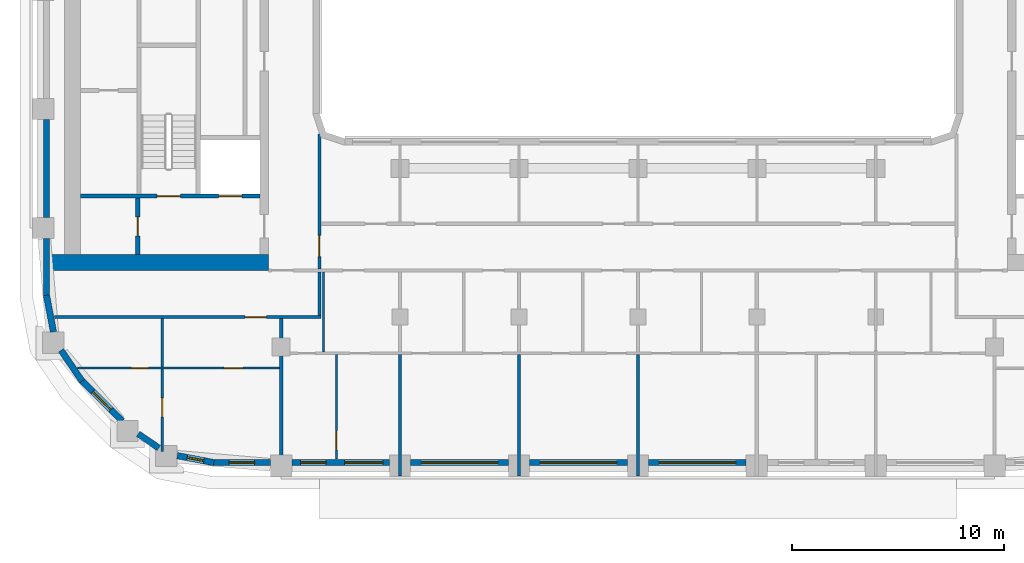
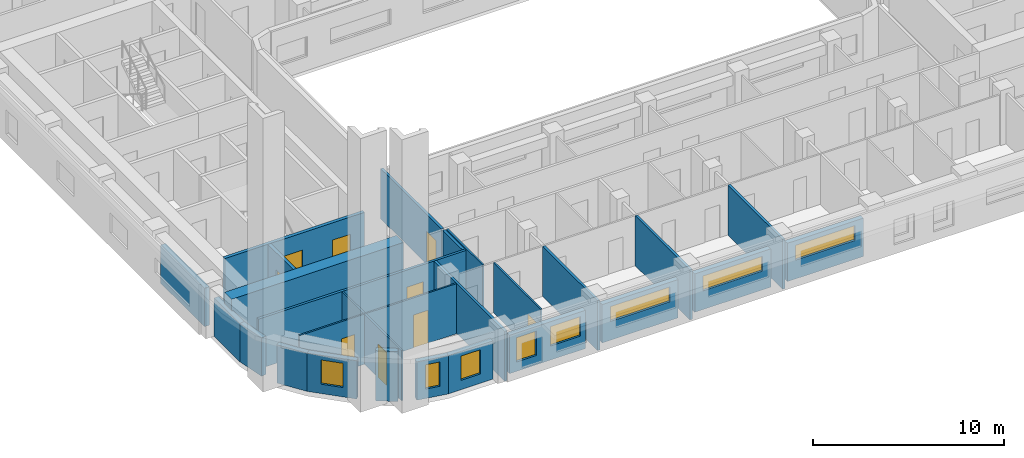
# One storey, part 2 of 22: 27 walls, 9 doors, 8 windows, 17 openings.
"""IFC4 building model written with IfcOpenShell, lengths in metres."""

from ifc_helpers import new_model, si_unit, direction, frame, frame_2d, origin, place, context, subcontext, project, spatial, rectangle, extrude, material, layer, layer_set, type_object, element, fill, save


model = new_model("IFC4")

# Units and contexts
model_context = context("Model", 3, precision=1e-05, world=origin(), true_north=direction((0.0, 1.0)))
body_context = subcontext(model_context, "Body", "Model", "MODEL_VIEW")
ifc_project = project(units=[si_unit("LENGTHUNIT", "METRE"), si_unit("AREAUNIT", "SQUARE_METRE"), si_unit("VOLUMEUNIT", "CUBIC_METRE"), si_unit("PLANEANGLEUNIT", "RADIAN"), si_unit("MASSUNIT", "GRAM", prefix="KILO")], contexts=[model_context])

# Site, building, storey
site_placement = place(None, origin())
site = spatial("IfcSite", under=ifc_project, at=site_placement, CompositionType="ELEMENT")
building_placement = place(site_placement, origin())
building = spatial("IfcBuilding", under=site, at=building_placement, Name="Kiln Ring Residences", CompositionType="ELEMENT")
storey_placement = place(building_placement, frame((0.0, 0.0, 160.60009765625)))
storey = spatial("IfcBuildingStorey", under=building, at=storey_placement, Name="L41", CompositionType="ELEMENT", Elevation=160.60009765625)

# Wall, opening, door
ifc_material_1 = material(Name="Gypsum board on steel studs", Category="steel")
ifc_layer_1 = layer(ifc_material_1, 0.199951171875)
ifc_layer_set_1 = layer_set([ifc_layer_1], Name="CORE-PARTITION-200")
wall_type_1 = type_object("IfcWallType", Name="CORE-PARTITION-200", PredefinedType="PARTITIONING", material=ifc_layer_set_1)
wall_1_placement = place(storey_placement, frame((-23.550048828125, -12.449951171875, 0.0), z_axis=(0.0, 0.0, 1.0), x_axis=(0.0, 1.0, 0.0)))
wall_1 = element("IfcWall", 1, at=wall_1_placement, inside=storey, type_object=wall_type_1, Name="Core partition west L41 5", PredefinedType="PARTITIONING", context=body_context, shape_type="SweptSolid", body=[
    extrude(rectangle(XDim=2.64990234375, YDim=0.199951171875, at=frame_2d((1.324951171875, 0.0))), origin(), (0.0, 0.0, 1.0), 3.199951171875),
])
opening_1_placement = place(wall_1_placement, frame((0.875, 0.0, 0.0)))
opening_1 = element("IfcOpeningElement", 2, at=opening_1_placement, cuts=wall_1, Name="Opening L41-CW10", PredefinedType="OPENING", context=body_context, shape_type="SweptSolid", body=[
    extrude(rectangle(XDim=0.89990234375, YDim=2.10009765625, at=frame_2d((0.449951171875, 1.050048828125))), frame((0.0, 0.10986328125, 0.0), z_axis=(0.0, -1.0, 0.0), x_axis=(1.0, 0.0, 0.0)), (0.0, 0.0, 1.0), 0.219970703125),
])
ifc_material_2 = material(Name="Steel door leaf", Category="steel")
door_type_1 = type_object("IfcDoorType", Name="CORE-DOOR-ROOM", OperationType="SINGLE_SWING_LEFT", PredefinedType="DOOR", material=ifc_material_2)
door_1_placement = place(opening_1_placement, origin())
door_1 = element("IfcDoor", 3, at=door_1_placement, inside=storey, type_object=door_type_1, Name="Store L41-CW10", OperationType="SINGLE_SWING_RIGHT", OverallHeight=2.10009765625, OverallWidth=0.89990234375, PredefinedType="DOOR", context=body_context, shape_type="SweptSolid", body=[
    extrude(rectangle(XDim=0.89990234375, YDim=2.10009765625, at=frame_2d((0.449951171875, 1.050048828125))), frame((0.0, 0.02490234375, 0.0), z_axis=(0.0, -1.0, 0.0), x_axis=(1.0, 0.0, 0.0)), (0.0, 0.0, 1.0), 0.050048828125),
])
fill(opening_1, door_1)

# Wall, openings, doors
ifc_material_3 = material(Name="Concrete C40/50", Category="concrete")
ifc_layer_2 = layer(ifc_material_3, 0.199951171875)
ifc_layer_set_2 = layer_set([ifc_layer_2], Name="CORE-WALL-RC200")
wall_type_2 = type_object("IfcWallType", Name="CORE-WALL-RC200", PredefinedType="SHEAR", material=ifc_layer_set_2)
wall_2_placement = place(storey_placement, frame((-17.800048828125, -9.699951171875, 0.0), z_axis=(0.0, 0.0, 1.0), x_axis=(-1.0, 0.0, 0.0)))
wall_2 = element("IfcWall", 4, at=wall_2_placement, inside=storey, type_object=wall_type_2, Name="Core wall west L41 8", PredefinedType="SHEAR", context=body_context, shape_type="SweptSolid", body=[
    extrude(rectangle(XDim=8.449951171875, YDim=0.199951171875, at=frame_2d((4.22509765625, 0.0))), origin(), (0.0, 0.0, 1.0), 3.199951171875),
])
opening_2_placement = place(wall_2_placement, frame((0.85009765625, 0.0, 0.0)))
opening_2 = element("IfcOpeningElement", 5, at=opening_2_placement, cuts=wall_2, Name="Opening L41-CW01", PredefinedType="OPENING", context=body_context, shape_type="SweptSolid", body=[
    extrude(rectangle(XDim=1.10009765625, YDim=2.10009765625, at=frame_2d((0.550048828125, 1.050048828125))), frame((0.0, 0.10986328125, 0.0), z_axis=(0.0, -1.0, 0.0), x_axis=(1.0, 0.0, 0.0)), (0.0, 0.0, 1.0), 0.219970703125),
])
opening_3_placement = place(wall_2_placement, frame((3.75, 0.0, 0.0)))
opening_3 = element("IfcOpeningElement", 6, at=opening_3_placement, cuts=wall_2, Name="Opening L41-CW12", PredefinedType="OPENING", context=body_context, shape_type="SweptSolid", body=[
    extrude(rectangle(XDim=1.10009765625, YDim=2.10009765625, at=frame_2d((0.550048828125, 1.050048828125))), frame((0.0, 0.10986328125, 0.0), z_axis=(0.0, -1.0, 0.0), x_axis=(1.0, 0.0, 0.0)), (0.0, 0.0, 1.0), 0.219970703125),
])
ifc_material_4 = material(Name="Steel door leaf", Category="steel")
door_type_2 = type_object("IfcDoorType", Name="CORE-DOOR-LD", OperationType="DOUBLE_DOOR_SLIDING", PredefinedType="DOOR", material=ifc_material_4)
door_2_placement = place(opening_2_placement, origin())
door_2 = element("IfcDoor", 7, at=door_2_placement, inside=storey, type_object=door_type_2, Name="LD W-SV L41-CW01", OperationType="DOUBLE_DOOR_SLIDING", OverallHeight=2.10009765625, OverallWidth=1.10009765625, PredefinedType="DOOR", context=body_context, shape_type="SweptSolid", body=[
    extrude(rectangle(XDim=1.10009765625, YDim=2.10009765625, at=frame_2d((0.550048828125, 1.050048828125))), frame((0.0, 0.02490234375, 0.0), z_axis=(0.0, -1.0, 0.0), x_axis=(1.0, 0.0, 0.0)), (0.0, 0.0, 1.0), 0.050048828125),
])
fill(opening_2, door_2)
ifc_material_5 = material(Name="Steel door leaf", Category="steel")
door_type_3 = type_object("IfcDoorType", Name="CORE-DOOR-STAIR", OperationType="SINGLE_SWING_LEFT", PredefinedType="DOOR", material=ifc_material_5)
door_3_placement = place(opening_3_placement, origin())
door_3 = element("IfcDoor", 8, at=door_3_placement, inside=storey, type_object=door_type_3, Name="Stair W-STS L41-CW12", OperationType="SINGLE_SWING_LEFT", OverallHeight=2.10009765625, OverallWidth=1.10009765625, PredefinedType="DOOR", context=body_context, shape_type="SweptSolid", body=[
    extrude(rectangle(XDim=1.10009765625, YDim=2.10009765625, at=frame_2d((0.550048828125, 1.050048828125))), frame((0.0, 0.02490234375, 0.0), z_axis=(0.0, -1.0, 0.0), x_axis=(1.0, 0.0, 0.0)), (0.0, 0.0, 1.0), 0.050048828125),
])
fill(opening_3, door_3)

# Wall
ifc_material_6 = material(Name="Concrete C60/75", Category="concrete")
ifc_layer_3 = layer(ifc_material_6, 0.75)
ifc_layer_set_3 = layer_set([ifc_layer_3], Name="CORE-WALL-RC750")
wall_type_3 = type_object("IfcWallType", Name="CORE-WALL-RC750", PredefinedType="SHEAR", material=ifc_layer_set_3)
wall_3_placement = place(storey_placement, frame((-17.39990234375, -12.824951171875, 0.0), z_axis=(0.0, 0.0, 1.0), x_axis=(-1.0, 0.0, 0.0)))
element("IfcWall", 9, at=wall_3_placement, inside=storey, type_object=wall_type_3, Name="Core wall west L41 5", PredefinedType="SHEAR", context=body_context, shape_type="SweptSolid", body=[
    extrude(rectangle(XDim=10.400146484375, YDim=0.75, at=frame_2d((5.2001953125, 0.0))), origin(), (0.0, 0.0, 1.0), 3.199951171875),
])

# Wall, opening, window
ifc_material_7 = material(Name="Brick masonry, dark clay brick", Category="masonry")
ifc_layer_4 = layer(ifc_material_7, 0.300048828125)
ifc_layer_set_4 = layer_set([ifc_layer_4], Name="EW-300 BRICK WALL")
wall_type_4 = type_object("IfcWallType", Name="EW-300 BRICK WALL", PredefinedType="SOLIDWALL", material=ifc_layer_set_4)
wall_4_placement = place(storey_placement, frame((-26.19677734375, -18.390869140625, 0.0), z_axis=(0.0, 0.0, 1.0), x_axis=(0.707061571201, -0.707151988282, 0.0)))
wall_4 = element("IfcWall", 10, at=wall_4_placement, inside=storey, type_object=wall_type_4, Name="Facade wall L41 1", PredefinedType="SOLIDWALL", context=body_context, shape_type="SweptSolid", body=[
    extrude(rectangle(XDim=2.7001953125, YDim=0.300048828125, at=frame_2d((1.35009765625, 0.0))), origin(), (0.0, 0.0, 1.0), 2.449951171875),
])
opening_4_placement = place(wall_4_placement, frame((0.75, 0.0, 0.60009765625)))
opening_4 = element("IfcOpeningElement", 11, at=opening_4_placement, cuts=wall_4, Name="Opening W1", PredefinedType="OPENING", context=body_context, shape_type="SweptSolid", body=[
    extrude(rectangle(XDim=1.199951171875, YDim=1.550048828125, at=frame_2d((0.60009765625, 0.77490234375))), frame((0.0, 0.159912109375, 0.0), z_axis=(0.0, -1.0, 0.0), x_axis=(1.0, 0.0, 0.0)), (0.0, 0.0, 1.0), 0.320068359375),
])
ifc_material_8 = material(Name="Aluminium frame with double glazing", Category="aluminium")
window_type_1 = type_object("IfcWindowType", Name="WINDOW 1200 x 1550", PartitioningType="SINGLE_PANEL", PredefinedType="WINDOW", material=ifc_material_8)
window_1_placement = place(opening_4_placement, origin())
window_1 = element("IfcWindow", 12, at=window_1_placement, inside=storey, type_object=window_type_1, Name="Window L41 1", OverallHeight=1.550048828125, OverallWidth=1.199951171875, PartitioningType="SINGLE_PANEL", PredefinedType="WINDOW", context=body_context, shape_type="SweptSolid", body=[
    extrude(rectangle(XDim=1.199951171875, YDim=1.550048828125, at=frame_2d((0.60009765625, 0.77490234375))), frame((0.0, 0.030029296875, 0.0), z_axis=(0.0, -1.0, 0.0), x_axis=(1.0, 0.0, 0.0)), (0.0, 0.0, 1.0), 0.06005859375),
])
fill(opening_4, window_1)

# Wall
wall_5_placement = place(storey_placement, frame((-23.533935546875, -20.904296875, 0.0), z_axis=(0.0, 0.0, 1.0), x_axis=(0.827103906596, -0.56204904385, 0.0)))
element("IfcWall", 13, at=wall_5_placement, inside=storey, type_object=wall_type_4, Name="Facade wall L41 2", PredefinedType="SOLIDWALL", context=body_context, shape_type="SweptSolid", body=[
    extrude(rectangle(XDim=1.17724609375, YDim=0.300048828125, at=frame_2d((0.588623046875, 0.0))), origin(), (0.0, 0.0, 1.0), 3.199951171875),
])

# Wall, opening, window
wall_6_placement = place(storey_placement, frame((-21.697021484375, -21.923583984375, 0.0), z_axis=(0.0, 0.0, 1.0), x_axis=(0.982284988433, -0.187393173565, 0.0)))
wall_6 = element("IfcWall", 14, at=wall_6_placement, inside=storey, type_object=wall_type_4, Name="Facade wall L41 3", PredefinedType="SOLIDWALL", context=body_context, shape_type="SweptSolid", body=[
    extrude(rectangle(XDim=1.756103515625, YDim=0.300048828125, at=frame_2d((0.8779296875, 0.0))), origin(), (0.0, 0.0, 1.0), 2.449951171875),
])
opening_5_placement = place(wall_6_placement, frame((0.47802734375, 0.0, 0.60009765625)))
opening_5 = element("IfcOpeningElement", 15, at=opening_5_placement, cuts=wall_6, Name="Opening W5", PredefinedType="OPENING", context=body_context, shape_type="SweptSolid", body=[
    extrude(rectangle(XDim=0.800048828125, YDim=1.550048828125, at=frame_2d((0.39990234375, 0.77490234375))), frame((0.0, 0.159912109375, 0.0), z_axis=(0.0, -1.0, 0.0), x_axis=(1.0, 0.0, 0.0)), (0.0, 0.0, 1.0), 0.320068359375),
])
ifc_material_9 = material(Name="Aluminium frame with double glazing", Category="aluminium")
window_type_2 = type_object("IfcWindowType", Name="WINDOW 800 x 1550", PartitioningType="SINGLE_PANEL", PredefinedType="WINDOW", material=ifc_material_9)
window_2_placement = place(opening_5_placement, origin())
window_2 = element("IfcWindow", 16, at=window_2_placement, inside=storey, type_object=window_type_2, Name="Window L41 2", OverallHeight=1.550048828125, OverallWidth=0.800048828125, PartitioningType="SINGLE_PANEL", PredefinedType="WINDOW", context=body_context, shape_type="SweptSolid", body=[
    extrude(rectangle(XDim=0.800048828125, YDim=1.550048828125, at=frame_2d((0.39990234375, 0.77490234375))), frame((0.0, 0.030029296875, 0.0), z_axis=(0.0, -1.0, 0.0), x_axis=(1.0, 0.0, 0.0)), (0.0, 0.0, 1.0), 0.06005859375),
])
fill(opening_5, window_2)

wall_7_placement = place(storey_placement, frame((-20.0, -22.25, 0.0), z_axis=(0.0, 0.0, 1.0), x_axis=(1.0, 0.0, 0.0)))
wall_7 = element("IfcWall", 17, at=wall_7_placement, inside=storey, type_object=wall_type_4, Name="Facade wall L41 4", PredefinedType="SOLIDWALL", context=body_context, shape_type="SweptSolid", body=[
    extrude(rectangle(XDim=2.699951171875, YDim=0.300048828125, at=frame_2d((1.35009765625, 0.0))), origin(), (0.0, 0.0, 1.0), 2.449951171875),
])
opening_6_placement = place(wall_7_placement, frame((0.75, 0.0, 0.60009765625)))
opening_6 = element("IfcOpeningElement", 18, at=opening_6_placement, cuts=wall_7, Name="Opening W1", PredefinedType="OPENING", context=body_context, shape_type="SweptSolid", body=[
    extrude(rectangle(XDim=1.199951171875, YDim=1.550048828125, at=frame_2d((0.60009765625, 0.77490234375))), frame((0.0, 0.159912109375, 0.0), z_axis=(0.0, -1.0, 0.0), x_axis=(1.0, 0.0, 0.0)), (0.0, 0.0, 1.0), 0.320068359375),
])
window_3_placement = place(opening_6_placement, origin())
window_3 = element("IfcWindow", 19, at=window_3_placement, inside=storey, type_object=window_type_1, Name="Window L41 3", OverallHeight=1.550048828125, OverallWidth=1.199951171875, PartitioningType="SINGLE_PANEL", PredefinedType="WINDOW", context=body_context, shape_type="SweptSolid", body=[
    extrude(rectangle(XDim=1.199951171875, YDim=1.550048828125, at=frame_2d((0.60009765625, 0.77490234375))), frame((0.0, 0.030029296875, 0.0), z_axis=(0.0, -1.0, 0.0), x_axis=(1.0, 0.0, 0.0)), (0.0, 0.0, 1.0), 0.06005859375),
])
fill(opening_6, window_3)

# Wall, openings, windows
wall_8_placement = place(storey_placement, frame((-16.300048828125, -22.25, 0.0), z_axis=(0.0, 0.0, 1.0), x_axis=(1.0, 0.0, 0.0)))
wall_8 = element("IfcWall", 20, at=wall_8_placement, inside=storey, type_object=wall_type_4, Name="Facade wall L41 5", PredefinedType="SOLIDWALL", context=body_context, shape_type="SweptSolid", body=[
    extrude(rectangle(XDim=4.60009765625, YDim=0.300048828125, at=frame_2d((2.300048828125, 0.0))), origin(), (0.0, 0.0, 1.0), 2.449951171875),
])
opening_7_placement = place(wall_8_placement, frame((0.41259765625, 0.0, 0.60009765625)))
opening_7 = element("IfcOpeningElement", 21, at=opening_7_placement, cuts=wall_8, Name="Opening W1", PredefinedType="OPENING", context=body_context, shape_type="SweptSolid", body=[
    extrude(rectangle(XDim=1.199951171875, YDim=1.550048828125, at=frame_2d((0.60009765625, 0.77490234375))), frame((0.0, 0.159912109375, 0.0), z_axis=(0.0, -1.0, 0.0), x_axis=(1.0, 0.0, 0.0)), (0.0, 0.0, 1.0), 0.320068359375),
])
opening_8_placement = place(wall_8_placement, frame((2.487548828125, 0.0, 0.89990234375)))
opening_8 = element("IfcOpeningElement", 22, at=opening_8_placement, cuts=wall_8, Name="Opening W2", PredefinedType="OPENING", context=body_context, shape_type="SweptSolid", body=[
    extrude(rectangle(XDim=1.800048828125, YDim=1.25, at=frame_2d((0.89990234375, 0.625))), frame((0.0, 0.159912109375, 0.0), z_axis=(0.0, -1.0, 0.0), x_axis=(1.0, 0.0, 0.0)), (0.0, 0.0, 1.0), 0.320068359375),
])
window_4_placement = place(opening_7_placement, origin())
window_4 = element("IfcWindow", 23, at=window_4_placement, inside=storey, type_object=window_type_1, Name="Window L41 4", OverallHeight=1.550048828125, OverallWidth=1.199951171875, PartitioningType="SINGLE_PANEL", PredefinedType="WINDOW", context=body_context, shape_type="SweptSolid", body=[
    extrude(rectangle(XDim=1.199951171875, YDim=1.550048828125, at=frame_2d((0.60009765625, 0.77490234375))), frame((0.0, 0.030029296875, 0.0), z_axis=(0.0, -1.0, 0.0), x_axis=(1.0, 0.0, 0.0)), (0.0, 0.0, 1.0), 0.06005859375),
])
fill(opening_7, window_4)
ifc_material_10 = material(Name="Aluminium frame with double glazing", Category="aluminium")
window_type_3 = type_object("IfcWindowType", Name="WINDOW 1800 x 1250", PartitioningType="SINGLE_PANEL", PredefinedType="WINDOW", material=ifc_material_10)
window_5_placement = place(opening_8_placement, origin())
window_5 = element("IfcWindow", 24, at=window_5_placement, inside=storey, type_object=window_type_3, Name="Window L41 5", OverallHeight=1.25, OverallWidth=1.800048828125, PartitioningType="SINGLE_PANEL", PredefinedType="WINDOW", context=body_context, shape_type="SweptSolid", body=[
    extrude(rectangle(XDim=1.800048828125, YDim=1.25, at=frame_2d((0.89990234375, 0.625))), frame((0.0, 0.030029296875, 0.0), z_axis=(0.0, -1.0, 0.0), x_axis=(1.0, 0.0, 0.0)), (0.0, 0.0, 1.0), 0.06005859375),
])
fill(opening_8, window_5)

# Wall, opening, window
wall_9_placement = place(storey_placement, frame((-10.699951171875, -22.25, 0.0), z_axis=(0.0, 0.0, 1.0), x_axis=(1.0, 0.0, 0.0)))
wall_9 = element("IfcWall", 25, at=wall_9_placement, inside=storey, type_object=wall_type_4, Name="Facade wall L41 6", PredefinedType="SOLIDWALL", context=body_context, shape_type="SweptSolid", body=[
    extrude(rectangle(XDim=4.599853515625, YDim=0.300048828125, at=frame_2d((2.2998046875, 0.0))), origin(), (0.0, 0.0, 1.0), 2.449951171875),
])
opening_9_placement = place(wall_9_placement, frame((0.5, 0.0, 1.199951171875)))
opening_9 = element("IfcOpeningElement", 26, at=opening_9_placement, cuts=wall_9, Name="Opening W4", PredefinedType="OPENING", context=body_context, shape_type="SweptSolid", body=[
    extrude(rectangle(XDim=3.60009765625, YDim=0.949951171875, at=frame_2d((1.800048828125, 0.47509765625))), frame((0.0, 0.159912109375, 0.0), z_axis=(0.0, -1.0, 0.0), x_axis=(1.0, 0.0, 0.0)), (0.0, 0.0, 1.0), 0.320068359375),
])
ifc_material_11 = material(Name="Aluminium frame with double glazing", Category="aluminium")
window_type_4 = type_object("IfcWindowType", Name="WINDOW 3600 x 950", PartitioningType="SINGLE_PANEL", PredefinedType="WINDOW", material=ifc_material_11)
window_6_placement = place(opening_9_placement, origin())
window_6 = element("IfcWindow", 27, at=window_6_placement, inside=storey, type_object=window_type_4, Name="Window L41 6", OverallHeight=0.949951171875, OverallWidth=3.60009765625, PartitioningType="SINGLE_PANEL", PredefinedType="WINDOW", context=body_context, shape_type="SweptSolid", body=[
    extrude(rectangle(XDim=3.60009765625, YDim=0.949951171875, at=frame_2d((1.800048828125, 0.47509765625))), frame((0.0, 0.030029296875, 0.0), z_axis=(0.0, -1.0, 0.0), x_axis=(1.0, 0.0, 0.0)), (0.0, 0.0, 1.0), 0.06005859375),
])
fill(opening_9, window_6)

wall_10_placement = place(storey_placement, frame((-5.10009765625, -22.25, 0.0), z_axis=(0.0, 0.0, 1.0), x_axis=(1.0, 0.0, 0.0)))
wall_10 = element("IfcWall", 28, at=wall_10_placement, inside=storey, type_object=wall_type_4, Name="Facade wall L41 7", PredefinedType="SOLIDWALL", context=body_context, shape_type="SweptSolid", body=[
    extrude(rectangle(XDim=4.60009765625, YDim=0.300048828125, at=frame_2d((2.300048828125, 0.0))), origin(), (0.0, 0.0, 1.0), 2.449951171875),
])
opening_10_placement = place(wall_10_placement, frame((0.5, 0.0, 1.199951171875)))
opening_10 = element("IfcOpeningElement", 29, at=opening_10_placement, cuts=wall_10, Name="Opening W4", PredefinedType="OPENING", context=body_context, shape_type="SweptSolid", body=[
    extrude(rectangle(XDim=3.60009765625, YDim=0.949951171875, at=frame_2d((1.800048828125, 0.47509765625))), frame((0.0, 0.159912109375, 0.0), z_axis=(0.0, -1.0, 0.0), x_axis=(1.0, 0.0, 0.0)), (0.0, 0.0, 1.0), 0.320068359375),
])
window_7_placement = place(opening_10_placement, origin())
window_7 = element("IfcWindow", 30, at=window_7_placement, inside=storey, type_object=window_type_4, Name="Window L41 7", OverallHeight=0.949951171875, OverallWidth=3.60009765625, PartitioningType="SINGLE_PANEL", PredefinedType="WINDOW", context=body_context, shape_type="SweptSolid", body=[
    extrude(rectangle(XDim=3.60009765625, YDim=0.949951171875, at=frame_2d((1.800048828125, 0.47509765625))), frame((0.0, 0.030029296875, 0.0), z_axis=(0.0, -1.0, 0.0), x_axis=(1.0, 0.0, 0.0)), (0.0, 0.0, 1.0), 0.06005859375),
])
fill(opening_10, window_7)

wall_11_placement = place(storey_placement, frame((0.5, -22.25, 0.0), z_axis=(0.0, 0.0, 1.0), x_axis=(1.0, 0.0, 0.0)))
wall_11 = element("IfcWall", 31, at=wall_11_placement, inside=storey, type_object=wall_type_4, Name="Facade wall L41 8", PredefinedType="SOLIDWALL", context=body_context, shape_type="SweptSolid", body=[
    extrude(rectangle(XDim=4.60009765625, YDim=0.300048828125, at=frame_2d((2.300048828125, 0.0))), origin(), (0.0, 0.0, 1.0), 2.449951171875),
])
opening_11_placement = place(wall_11_placement, frame((0.5, 0.0, 1.199951171875)))
opening_11 = element("IfcOpeningElement", 32, at=opening_11_placement, cuts=wall_11, Name="Opening W4", PredefinedType="OPENING", context=body_context, shape_type="SweptSolid", body=[
    extrude(rectangle(XDim=3.60009765625, YDim=0.949951171875, at=frame_2d((1.800048828125, 0.47509765625))), frame((0.0, 0.159912109375, 0.0), z_axis=(0.0, -1.0, 0.0), x_axis=(1.0, 0.0, 0.0)), (0.0, 0.0, 1.0), 0.320068359375),
])
window_8_placement = place(opening_11_placement, origin())
window_8 = element("IfcWindow", 33, at=window_8_placement, inside=storey, type_object=window_type_4, Name="Window L41 8", OverallHeight=0.949951171875, OverallWidth=3.60009765625, PartitioningType="SINGLE_PANEL", PredefinedType="WINDOW", context=body_context, shape_type="SweptSolid", body=[
    extrude(rectangle(XDim=3.60009765625, YDim=0.949951171875, at=frame_2d((1.800048828125, 0.47509765625))), frame((0.0, 0.030029296875, 0.0), z_axis=(0.0, -1.0, 0.0), x_axis=(1.0, 0.0, 0.0)), (0.0, 0.0, 1.0), 0.06005859375),
])
fill(opening_11, window_8)

# Walls
wall_12_placement = place(storey_placement, frame((-27.85009765625, -6.10009765625, 0.0), z_axis=(0.0, 0.0, 1.0), x_axis=(0.0, -1.0, 0.0)))
element("IfcWall", 34, at=wall_12_placement, inside=storey, type_object=wall_type_4, Name="Facade wall L41 45", PredefinedType="SOLIDWALL", context=body_context, shape_type="SweptSolid", body=[
    extrude(rectangle(XDim=4.599853515625, YDim=0.300048828125, at=frame_2d((2.2998046875, 0.0))), origin(), (0.0, 0.0, 1.0), 2.449951171875),
])
wall_13_placement = place(storey_placement, frame((-27.85009765625, -11.699951171875, 0.0), z_axis=(0.0, 0.0, 1.0), x_axis=(0.0, -1.0, 0.0)))
element("IfcWall", 35, at=wall_13_placement, inside=storey, type_object=wall_type_4, Name="Facade wall L41 46", PredefinedType="SOLIDWALL", context=body_context, shape_type="SweptSolid", body=[
    extrude(rectangle(XDim=2.699951171875, YDim=0.300048828125, at=frame_2d((1.35009765625, 0.0))), origin(), (0.0, 0.0, 1.0), 2.449951171875),
])
for number, where, z_axis, x_axis, name in (
    (36, (-27.8525390625, -14.371826171875, 0.0), (0.0, 0.0, 1.0), (0.187259034321, -0.982310569049, 0.0), "Facade wall L41 47"),
    (37, (-27.166015625, -16.96044921875, 0.0), (0.0, 0.0, 1.0), (0.562089443061, -0.82707645233, 0.0), "Facade wall L41 48"),
):
    element("IfcWall", number, at=place(storey_placement, frame(where, z_axis=z_axis, x_axis=x_axis)), inside=storey, type_object=wall_type_4, Name=name, PredefinedType="SOLIDWALL", context=body_context, shape_type="SweptSolid", body=[
        extrude(rectangle(XDim=1.756103515625, YDim=0.300048828125, at=frame_2d((0.8779296875, 0.0))), origin(), (0.0, 0.0, 1.0), 2.449951171875),
    ])

# Wall, openings, doors
ifc_material_12 = material(Name="Gypsum board on steel studs", Category="steel")
ifc_layer_5 = layer(ifc_material_12, 0.10009765625)
ifc_layer_set_5 = layer_set([ifc_layer_5], Name="PARTITION-100")
wall_type_5 = type_object("IfcWallType", Name="PARTITION-100", PredefinedType="PARTITIONING", material=ifc_layer_set_5)
wall_14_placement = place(storey_placement, frame((-26.39404296875, -17.800048828125, 0.0), z_axis=(0.0, 0.0, 1.0), x_axis=(1.0, 0.0, 0.0)))
wall_14 = element("IfcWall", 38, at=wall_14_placement, inside=storey, type_object=wall_type_5, Name="Partition 000", PredefinedType="PARTITIONING", context=body_context, shape_type="SweptSolid", body=[
    extrude(rectangle(XDim=9.51904296875, YDim=0.10009765625, at=frame_2d((4.759521484375, 0.0))), origin(), (0.0, 0.0, 1.0), 3.199951171875),
])
opening_12_placement = place(wall_14_placement, frame((2.5439453125, 0.0, 0.0)))
opening_12 = element("IfcOpeningElement", 39, at=opening_12_placement, cuts=wall_14, Name="Opening L41-D071", PredefinedType="OPENING", context=body_context, shape_type="SweptSolid", body=[
    extrude(rectangle(XDim=0.800048828125, YDim=2.10009765625, at=frame_2d((0.39990234375, 1.050048828125))), frame((0.0, 0.06005859375, 0.0), z_axis=(0.0, -1.0, 0.0), x_axis=(1.0, 0.0, 0.0)), (0.0, 0.0, 1.0), 0.1201171875),
])
opening_13_placement = place(wall_14_placement, frame((6.89404296875, 0.0, 0.0)))
opening_13 = element("IfcOpeningElement", 40, at=opening_13_placement, cuts=wall_14, Name="Opening L41-D072", PredefinedType="OPENING", context=body_context, shape_type="SweptSolid", body=[
    extrude(rectangle(XDim=0.89990234375, YDim=2.10009765625, at=frame_2d((0.449951171875, 1.050048828125))), frame((0.0, 0.06005859375, 0.0), z_axis=(0.0, -1.0, 0.0), x_axis=(1.0, 0.0, 0.0)), (0.0, 0.0, 1.0), 0.1201171875),
])
ifc_material_13 = material(Name="Timber door leaf", Category="wood")
door_type_4 = type_object("IfcDoorType", Name="FLAT-DOOR-800-PL", OperationType="SINGLE_SWING_LEFT", PredefinedType="DOOR", material=ifc_material_13)
door_4_placement = place(opening_12_placement, origin())
door_4 = element("IfcDoor", 41, at=door_4_placement, inside=storey, type_object=door_type_4, Name="Door L41-D071", OperationType="SINGLE_SWING_LEFT", OverallHeight=2.10009765625, OverallWidth=0.800048828125, PredefinedType="DOOR", context=body_context, shape_type="SweptSolid", body=[
    extrude(rectangle(XDim=0.800048828125, YDim=2.10009765625, at=frame_2d((0.39990234375, 1.050048828125))), frame((0.0, 0.02490234375, 0.0), z_axis=(0.0, -1.0, 0.0), x_axis=(1.0, 0.0, 0.0)), (0.0, 0.0, 1.0), 0.050048828125),
])
fill(opening_12, door_4)
ifc_material_14 = material(Name="Timber door leaf", Category="wood")
door_type_5 = type_object("IfcDoorType", Name="FLAT-DOOR-900-PL", OperationType="SINGLE_SWING_LEFT", PredefinedType="DOOR", material=ifc_material_14)
door_5_placement = place(opening_13_placement, origin())
door_5 = element("IfcDoor", 42, at=door_5_placement, inside=storey, type_object=door_type_5, Name="Door L41-D072", OperationType="SINGLE_SWING_RIGHT", OverallHeight=2.10009765625, OverallWidth=0.89990234375, PredefinedType="DOOR", context=body_context, shape_type="SweptSolid", body=[
    extrude(rectangle(XDim=0.89990234375, YDim=2.10009765625, at=frame_2d((0.449951171875, 1.050048828125))), frame((0.0, 0.02490234375, 0.0), z_axis=(0.0, -1.0, 0.0), x_axis=(1.0, 0.0, 0.0)), (0.0, 0.0, 1.0), 0.050048828125),
])
fill(opening_13, door_5)

# Wall, opening, door
wall_15_placement = place(storey_placement, frame((-22.39990234375, -21.719970703125, 0.0), z_axis=(0.0, 0.0, 1.0), x_axis=(0.0, 1.0, 0.0)))
wall_15 = element("IfcWall", 43, at=wall_15_placement, inside=storey, type_object=wall_type_5, Name="Partition 014", PredefinedType="PARTITIONING", context=body_context, shape_type="SweptSolid", body=[
    extrude(rectangle(XDim=3.869873046875, YDim=0.10009765625, at=frame_2d((1.93505859375, 0.0))), origin(), (0.0, 0.0, 1.0), 3.199951171875),
])
opening_14_placement = place(wall_15_placement, frame((1.6201171875, 0.0, 0.0)))
opening_14 = element("IfcOpeningElement", 44, at=opening_14_placement, cuts=wall_15, Name="Opening L41-D073", PredefinedType="OPENING", context=body_context, shape_type="SweptSolid", body=[
    extrude(rectangle(XDim=0.89990234375, YDim=2.10009765625, at=frame_2d((0.449951171875, 1.050048828125))), frame((0.0, 0.06005859375, 0.0), z_axis=(0.0, -1.0, 0.0), x_axis=(1.0, 0.0, 0.0)), (0.0, 0.0, 1.0), 0.1201171875),
])
door_6_placement = place(opening_14_placement, origin())
door_6 = element("IfcDoor", 45, at=door_6_placement, inside=storey, type_object=door_type_5, Name="Door L41-D073", OperationType="SINGLE_SWING_LEFT", OverallHeight=2.10009765625, OverallWidth=0.89990234375, PredefinedType="DOOR", context=body_context, shape_type="SweptSolid", body=[
    extrude(rectangle(XDim=0.89990234375, YDim=2.10009765625, at=frame_2d((0.449951171875, 1.050048828125))), frame((0.0, 0.02490234375, 0.0), z_axis=(0.0, -1.0, 0.0), x_axis=(1.0, 0.0, 0.0)), (0.0, 0.0, 1.0), 0.050048828125),
])
fill(opening_14, door_6)

# Walls
wall_16_placement = place(storey_placement, frame((-22.39990234375, -17.75, 0.0), z_axis=(0.0, 0.0, 1.0), x_axis=(0.0, 1.0, 0.0)))
element("IfcWall", 46, at=wall_16_placement, inside=storey, type_object=wall_type_5, Name="Partition 015", PredefinedType="PARTITIONING", context=body_context, shape_type="SweptSolid", body=[
    extrude(rectangle(XDim=2.27490234375, YDim=0.10009765625, at=frame_2d((1.137451171875, 0.0))), origin(), (0.0, 0.0, 1.0), 3.199951171875),
])
wall_17_placement = place(storey_placement, frame((-14.800048828125, -17.050048828125, 0.0), z_axis=(0.0, 0.0, 1.0), x_axis=(0.0, 1.0, 0.0)))
element("IfcWall", 47, at=wall_17_placement, inside=storey, type_object=wall_type_5, Name="Partition 024", PredefinedType="PARTITIONING", context=body_context, shape_type="SweptSolid", body=[
    extrude(rectangle(XDim=3.775146484375, YDim=0.10009765625, at=frame_2d((1.8876953125, 0.0))), origin(), (0.0, 0.0, 1.0), 3.199951171875),
])

# Wall, opening, door
wall_18_placement = place(storey_placement, frame((-14.199951171875, -22.080078125, 0.0), z_axis=(0.0, 0.0, 1.0), x_axis=(0.0, 1.0, 0.0)))
wall_18 = element("IfcWall", 48, at=wall_18_placement, inside=storey, type_object=wall_type_5, Name="Partition 025", PredefinedType="PARTITIONING", context=body_context, shape_type="SweptSolid", body=[
    extrude(rectangle(XDim=4.93017578125, YDim=0.10009765625, at=frame_2d((2.465087890625, 0.0))), origin(), (0.0, 0.0, 1.0), 3.199951171875),
])
opening_15_placement = place(wall_18_placement, frame((0.429931640625, 0.0, 0.0)))
opening_15 = element("IfcOpeningElement", 49, at=opening_15_placement, cuts=wall_18, Name="Opening L41-D050", PredefinedType="OPENING", context=body_context, shape_type="SweptSolid", body=[
    extrude(rectangle(XDim=0.89990234375, YDim=2.10009765625, at=frame_2d((0.449951171875, 1.050048828125))), frame((0.0, 0.06005859375, 0.0), z_axis=(0.0, -1.0, 0.0), x_axis=(1.0, 0.0, 0.0)), (0.0, 0.0, 1.0), 0.1201171875),
])
door_7_placement = place(opening_15_placement, origin())
door_7 = element("IfcDoor", 50, at=door_7_placement, inside=storey, type_object=door_type_5, Name="Door L41-D050", OperationType="SINGLE_SWING_RIGHT", OverallHeight=2.10009765625, OverallWidth=0.89990234375, PredefinedType="DOOR", context=body_context, shape_type="SweptSolid", body=[
    extrude(rectangle(XDim=0.89990234375, YDim=2.10009765625, at=frame_2d((0.449951171875, 1.050048828125))), frame((0.0, 0.02490234375, 0.0), z_axis=(0.0, -1.0, 0.0), x_axis=(1.0, 0.0, 0.0)), (0.0, 0.0, 1.0), 0.050048828125),
])
fill(opening_15, door_7)

ifc_material_15 = material(Name="Brick masonry partition", Category="masonry")
ifc_layer_6 = layer(ifc_material_15, 0.14990234375)
ifc_layer_set_6 = layer_set([ifc_layer_6], Name="PARTITION-150-ei60")
wall_type_6 = type_object("IfcWallType", Name="PARTITION-150-ei60", PredefinedType="PARTITIONING", material=ifc_layer_set_6)
wall_19_placement = place(storey_placement, frame((-27.48388671875, -15.39990234375, 0.0), z_axis=(0.0, 0.0, 1.0), x_axis=(1.0, 0.0, 0.0)))
wall_19 = element("IfcWall", 51, at=wall_19_placement, inside=storey, type_object=wall_type_6, Name="Partition 003", PredefinedType="PARTITIONING", context=body_context, shape_type="SweptSolid", body=[
    extrude(rectangle(XDim=12.558837890625, YDim=0.14990234375, at=frame_2d((6.279296875, 0.0))), origin(), (0.0, 0.0, 1.0), 3.199951171875),
])
opening_16_placement = place(wall_19_placement, frame((8.98388671875, 0.0, 0.0)))
opening_16 = element("IfcOpeningElement", 52, at=opening_16_placement, cuts=wall_19, Name="Opening L41-D070", PredefinedType="OPENING", context=body_context, shape_type="SweptSolid", body=[
    extrude(rectangle(XDim=1.0, YDim=2.10009765625, at=frame_2d((0.5, 1.050048828125))), frame((0.0, 0.0849609375, 0.0), z_axis=(0.0, -1.0, 0.0), x_axis=(1.0, 0.0, 0.0)), (0.0, 0.0, 1.0), 0.169921875),
])
ifc_material_16 = material(Name="Steel faced fire door leaf", Category="steel")
door_type_6 = type_object("IfcDoorType", Name="FLAT-DOOR-1000-FR", OperationType="SINGLE_SWING_LEFT", PredefinedType="DOOR", material=ifc_material_16)
door_8_placement = place(opening_16_placement, origin())
door_8 = element("IfcDoor", 53, at=door_8_placement, inside=storey, type_object=door_type_6, Name="Door L41-D070", OperationType="SINGLE_SWING_RIGHT", OverallHeight=2.10009765625, OverallWidth=1.0, PredefinedType="DOOR", context=body_context, shape_type="SweptSolid", body=[
    extrude(rectangle(XDim=1.0, YDim=2.10009765625, at=frame_2d((0.5, 1.050048828125))), frame((0.0, 0.02490234375, 0.0), z_axis=(0.0, -1.0, 0.0), x_axis=(1.0, 0.0, 0.0)), (0.0, 0.0, 1.0), 0.050048828125),
])
fill(opening_16, door_8)

# Walls
wall_20_placement = place(storey_placement, frame((-16.800048828125, -22.8798828125, 0.0), z_axis=(0.0, 0.0, 1.0), x_axis=(0.0, 1.0, 0.0)))
element("IfcWall", 54, at=wall_20_placement, inside=storey, type_object=wall_type_6, Name="Partition 018", PredefinedType="PARTITIONING", context=body_context, shape_type="SweptSolid", body=[
    extrude(rectangle(XDim=7.40478515625, YDim=0.14990234375, at=frame_2d((3.702392578125, 0.0))), origin(), (0.0, 0.0, 1.0), 3.199951171875),
])
wall_21_placement = place(storey_placement, frame((-15.0, -15.324951171875, 0.0), z_axis=(0.0, 0.0, 1.0), x_axis=(0.0, 1.0, 0.0)))
element("IfcWall", 55, at=wall_21_placement, inside=storey, type_object=wall_type_6, Name="Partition 020", PredefinedType="PARTITIONING", context=body_context, shape_type="SweptSolid", body=[
    extrude(rectangle(XDim=2.050048828125, YDim=0.14990234375, at=frame_2d((1.02490234375, 0.0))), origin(), (0.0, 0.0, 1.0), 3.199951171875),
])

# Wall, opening, door
wall_22_placement = place(storey_placement, frame((-15.0, -13.125, 0.0), z_axis=(0.0, 0.0, 1.0), x_axis=(0.0, 1.0, 0.0)))
wall_22 = element("IfcWall", 56, at=wall_22_placement, inside=storey, type_object=wall_type_6, Name="Partition 021", PredefinedType="PARTITIONING", context=body_context, shape_type="SweptSolid", body=[
    extrude(rectangle(XDim=6.356201171875, YDim=0.14990234375, at=frame_2d((3.17822265625, 0.0))), origin(), (0.0, 0.0, 1.0), 3.199951171875),
])
opening_17_placement = place(wall_22_placement, frame((0.574951171875, 0.0, 0.0)))
opening_17 = element("IfcOpeningElement", 57, at=opening_17_placement, cuts=wall_22, Name="Opening L41-D005", PredefinedType="OPENING", context=body_context, shape_type="SweptSolid", body=[
    extrude(rectangle(XDim=1.0, YDim=2.10009765625, at=frame_2d((0.5, 1.050048828125))), frame((0.0, 0.0849609375, 0.0), z_axis=(0.0, -1.0, 0.0), x_axis=(1.0, 0.0, 0.0)), (0.0, 0.0, 1.0), 0.169921875),
])
door_9_placement = place(opening_17_placement, origin())
door_9 = element("IfcDoor", 58, at=door_9_placement, inside=storey, type_object=door_type_6, Name="Door L41-D005", OperationType="SINGLE_SWING_RIGHT", OverallHeight=2.10009765625, OverallWidth=1.0, PredefinedType="DOOR", context=body_context, shape_type="SweptSolid", body=[
    extrude(rectangle(XDim=1.0, YDim=2.10009765625, at=frame_2d((0.5, 1.050048828125))), frame((0.0, 0.02490234375, 0.0), z_axis=(0.0, -1.0, 0.0), x_axis=(1.0, 0.0, 0.0)), (0.0, 0.0, 1.0), 0.050048828125),
])
fill(opening_17, door_9)

# Walls
for number, where, z_axis, x_axis, name in (
    (59, (-11.199951171875, -22.8798828125, 0.0), (0.0, 0.0, 1.0), (0.0, 1.0, 0.0), "Partition 030"),
    (60, (-5.60009765625, -22.8798828125, 0.0), (0.0, 0.0, 1.0), (0.0, 1.0, 0.0), "Partition 037"),
    (61, (0.0, -22.8798828125, 0.0), (0.0, 0.0, 1.0), (0.0, 1.0, 0.0), "Partition 043"),
):
    element("IfcWall", number, at=place(storey_placement, frame(where, z_axis=z_axis, x_axis=x_axis)), inside=storey, type_object=wall_type_6, Name=name, PredefinedType="PARTITIONING", context=body_context, shape_type="SweptSolid", body=[
        extrude(rectangle(XDim=5.72998046875, YDim=0.14990234375, at=frame_2d((2.864990234375, 0.0))), origin(), (0.0, 0.0, 1.0), 3.199951171875),
    ])

save(model, "model.ifc")
